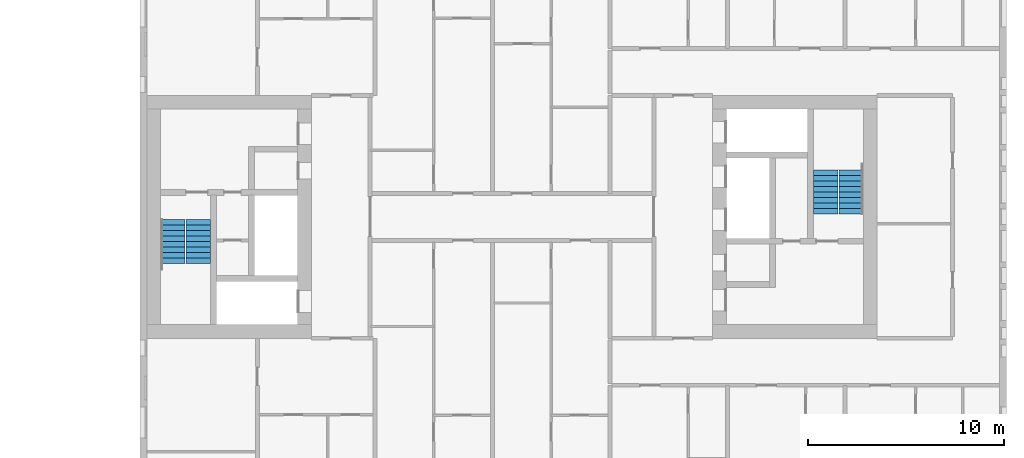
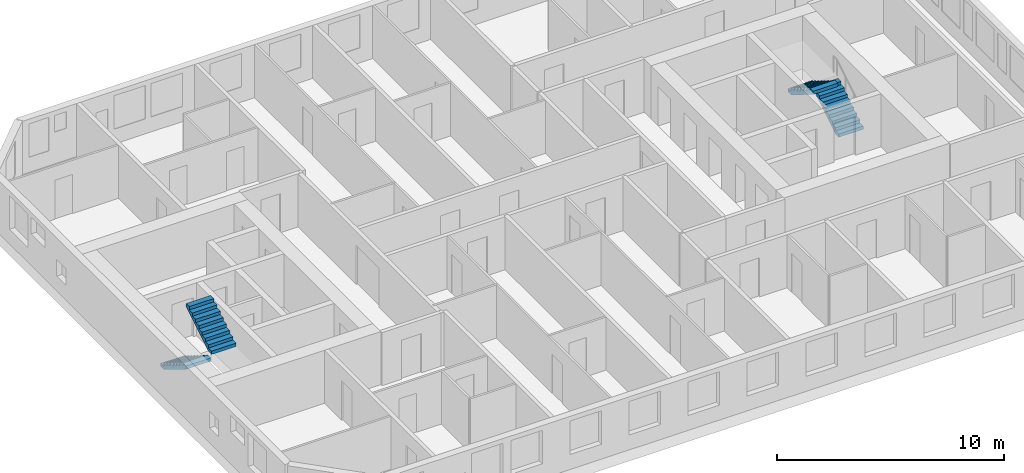
# One storey, part 15 of 17: 4 stair flights, 2 elements without a shape of their own.
"""IFC4 building model written with IfcOpenShell, lengths in metres."""

from ifc_helpers import new_model, si_unit, direction, frame, origin, place, context, subcontext, project, spatial, polyline, outline, extrude, material, type_object, element, aggregate, save


model = new_model("IFC4")

# Units and contexts
model_context = context("Model", 3, precision=1e-05, world=origin(), true_north=direction((0.0, 1.0)))
body_context = subcontext(model_context, "Body", "Model", "MODEL_VIEW")
ifc_project = project(units=[si_unit("LENGTHUNIT", "METRE"), si_unit("AREAUNIT", "SQUARE_METRE"), si_unit("VOLUMEUNIT", "CUBIC_METRE"), si_unit("PLANEANGLEUNIT", "RADIAN"), si_unit("MASSUNIT", "GRAM", prefix="KILO")], contexts=[model_context])

# Site, building, storey
site_placement = place(None, origin())
site = spatial("IfcSite", under=ifc_project, at=site_placement, CompositionType="ELEMENT")
building_placement = place(site_placement, origin())
building = spatial("IfcBuilding", under=site, at=building_placement, Name="Tuart Gate Housing", CompositionType="ELEMENT")
storey_placement = place(building_placement, frame((0.0, 0.0, 71.60009765625)))
storey = spatial("IfcBuildingStorey", under=building, at=storey_placement, Name="L19", CompositionType="ELEMENT", Elevation=71.60009765625)

# Stair, stair flights
ifc_material_1 = material(Name="Concrete C40", Category="concrete")
stair_type = type_object("IfcStairType", Name="Core stair 1250", PredefinedType="HALF_TURN_STAIR", material=ifc_material_1)
stair_1_placement = place(storey_placement, origin())
stair_1 = element("IfcStair", 1, at=stair_1_placement, inside=storey, type_object=stair_type, Name="Stair SB1", PredefinedType="HALF_TURN_STAIR")
ifc_material_2 = material(Name="Concrete C40", Category="concrete")
stair_flight_type = type_object("IfcStairFlightType", Name="Stair flight 1250, 9 risers 172 x 280", PredefinedType="STRAIGHT", material=ifc_material_2)
stair_flight_1_placement = place(storey_placement, frame((132.68505859375, 69.85009765625, 0.0), z_axis=(0.0, 0.0, 1.0), x_axis=(0.0, -1.0, 0.0)))
stair_flight_1 = element("IfcStairFlight", 2, at=stair_flight_1_placement, type_object=stair_flight_type, Name="SB1 flight 1", NumberOfRisers=9, NumberOfTreads=8, PredefinedType="STRAIGHT", RiserHeight=0.172222222, TreadLength=0.28, context=body_context, shape_type="SweptSolid", body=[
    extrude(outline(polyline([(0.0, 0.0), (0.0, 0.172119140625), (0.280029296875, 0.172119140625), (0.280029296875, 0.344482421875), (0.56005859375, 0.344482421875), (0.56005859375, 0.5166015625), (0.840087890625, 0.5166015625), (0.840087890625, 0.68896484375), (1.1201171875, 0.68896484375), (1.1201171875, 0.861083984375), (1.39990234375, 0.861083984375), (1.39990234375, 1.033447265625), (1.679931640625, 1.033447265625), (1.679931640625, 1.20556640625), (1.9599609375, 1.20556640625), (1.9599609375, 1.377685546875), (2.239990234375, 1.377685546875), (2.239990234375, 1.550048828125), (2.239990234375, 1.201904296875), (0.2861328125, 0.0), (0.0, 0.0)])), frame((0.0, 0.625, 0.0), z_axis=(0.0, -1.0, 0.0), x_axis=(1.0, 0.0, 0.0)), (0.0, 0.0, 1.0), 1.25),
])
stair_flight_2_placement = place(storey_placement, frame((133.985107421875, 67.610107421875, 1.5498046875), z_axis=(0.0, 0.0, 1.0), x_axis=(0.0, 1.0, 0.0)))
stair_flight_2 = element("IfcStairFlight", 3, at=stair_flight_2_placement, type_object=stair_flight_type, Name="SB1 flight 2", NumberOfRisers=9, NumberOfTreads=8, PredefinedType="STRAIGHT", RiserHeight=0.172222222, TreadLength=0.28, context=body_context, shape_type="SweptSolid", body=[
    extrude(outline(polyline([(0.0, 0.0), (0.0, 0.172119140625), (0.280029296875, 0.172119140625), (0.280029296875, 0.344482421875), (0.56005859375, 0.344482421875), (0.56005859375, 0.5166015625), (0.840087890625, 0.5166015625), (0.840087890625, 0.68896484375), (1.1201171875, 0.68896484375), (1.1201171875, 0.861083984375), (1.39990234375, 0.861083984375), (1.39990234375, 1.033447265625), (1.679931640625, 1.033447265625), (1.679931640625, 1.20556640625), (1.9599609375, 1.20556640625), (1.9599609375, 1.377685546875), (2.239990234375, 1.377685546875), (2.239990234375, 1.550048828125), (2.239990234375, 1.201904296875), (0.2861328125, 0.0), (0.0, 0.0)])), frame((0.0, 0.625, 0.0), z_axis=(0.0, -1.0, 0.0), x_axis=(1.0, 0.0, 0.0)), (0.0, 0.0, 1.0), 1.25),
])
aggregate(stair_1, [stair_flight_1, stair_flight_2])

stair_2_placement = place(storey_placement, origin())
stair_2 = element("IfcStair", 4, at=stair_2_placement, inside=storey, type_object=stair_type, Name="Stair SB2", PredefinedType="HALF_TURN_STAIR")
stair_flight_3_placement = place(storey_placement, frame((167.31494140625, 70.14990234375, 0.0), z_axis=(0.0, 0.0, 1.0), x_axis=(0.0, 1.0, 0.0)))
stair_flight_3 = element("IfcStairFlight", 5, at=stair_flight_3_placement, type_object=stair_flight_type, Name="SB2 flight 1", NumberOfRisers=9, NumberOfTreads=8, PredefinedType="STRAIGHT", RiserHeight=0.172222222, TreadLength=0.28, context=body_context, shape_type="SweptSolid", body=[
    extrude(outline(polyline([(0.0, 0.0), (0.0, 0.172119140625), (0.280029296875, 0.172119140625), (0.280029296875, 0.344482421875), (0.56005859375, 0.344482421875), (0.56005859375, 0.5166015625), (0.840087890625, 0.5166015625), (0.840087890625, 0.68896484375), (1.1201171875, 0.68896484375), (1.1201171875, 0.861083984375), (1.39990234375, 0.861083984375), (1.39990234375, 1.033447265625), (1.679931640625, 1.033447265625), (1.679931640625, 1.20556640625), (1.9599609375, 1.20556640625), (1.9599609375, 1.377685546875), (2.239990234375, 1.377685546875), (2.239990234375, 1.550048828125), (2.239990234375, 1.201904296875), (0.2861328125, 0.0), (0.0, 0.0)])), frame((0.0, 0.625, 0.0), z_axis=(0.0, -1.0, 0.0), x_axis=(1.0, 0.0, 0.0)), (0.0, 0.0, 1.0), 1.25),
])
stair_flight_4_placement = place(storey_placement, frame((166.014892578125, 72.389892578125, 1.5498046875), z_axis=(0.0, 0.0, 1.0), x_axis=(0.0, -1.0, 0.0)))
stair_flight_4 = element("IfcStairFlight", 6, at=stair_flight_4_placement, type_object=stair_flight_type, Name="SB2 flight 2", NumberOfRisers=9, NumberOfTreads=8, PredefinedType="STRAIGHT", RiserHeight=0.172222222, TreadLength=0.28, context=body_context, shape_type="SweptSolid", body=[
    extrude(outline(polyline([(0.0, 0.0), (0.0, 0.172119140625), (0.280029296875, 0.172119140625), (0.280029296875, 0.344482421875), (0.56005859375, 0.344482421875), (0.56005859375, 0.5166015625), (0.840087890625, 0.5166015625), (0.840087890625, 0.68896484375), (1.1201171875, 0.68896484375), (1.1201171875, 0.861083984375), (1.39990234375, 0.861083984375), (1.39990234375, 1.033447265625), (1.679931640625, 1.033447265625), (1.679931640625, 1.20556640625), (1.9599609375, 1.20556640625), (1.9599609375, 1.377685546875), (2.239990234375, 1.377685546875), (2.239990234375, 1.550048828125), (2.239990234375, 1.201904296875), (0.2861328125, 0.0), (0.0, 0.0)])), frame((0.0, 0.625, 0.0), z_axis=(0.0, -1.0, 0.0), x_axis=(1.0, 0.0, 0.0)), (0.0, 0.0, 1.0), 1.25),
])
aggregate(stair_2, [stair_flight_3, stair_flight_4])

save(model, "model.ifc")
